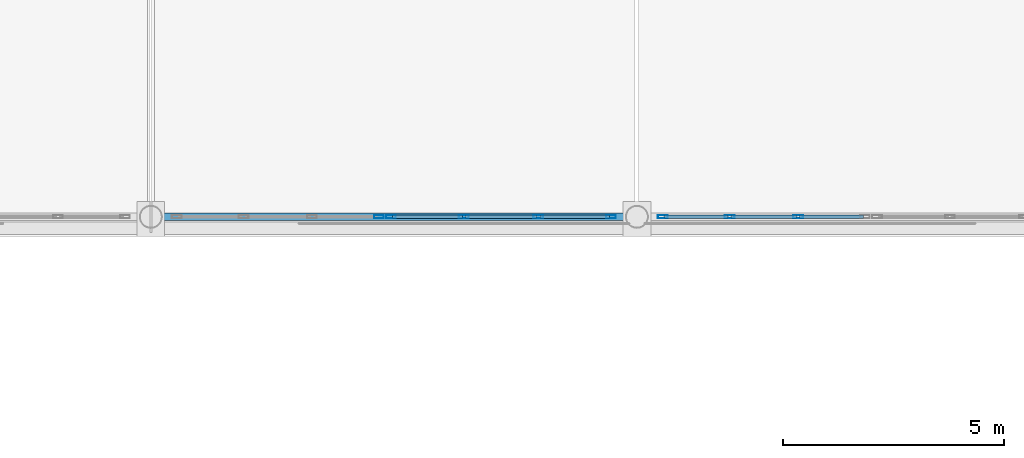
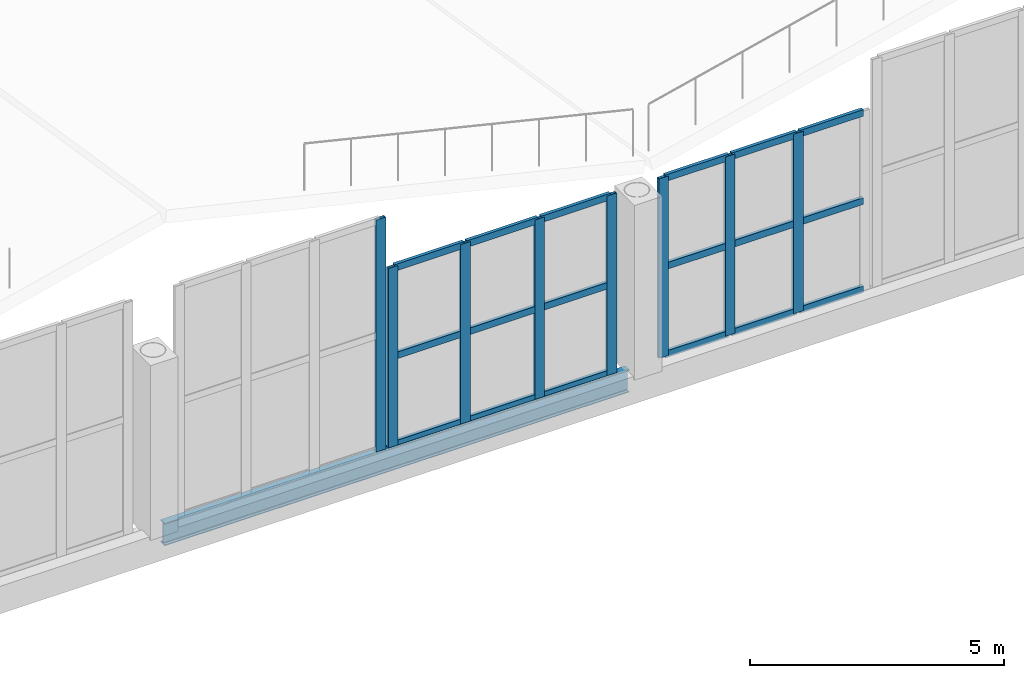
# One storey, part 36 of 120: 26 members, 1 beam, 3 elements without a shape of their own.
"""IFC4 building model written with IfcOpenShell, lengths in metres."""

from ifc_helpers import new_model, si_unit, direction, frame, origin, origin_2d, place, context, subcontext, project, spatial, hollow_rectangle, i_section, extrude, material, material_profile, profile_set, type_object, element, aggregate, save


model = new_model("IFC4")

# Units and contexts
model_context = context("Model", 3, precision=1e-05, world=origin(), true_north=direction((0.0, 1.0)))
body_context = subcontext(model_context, "Body", "Model", "MODEL_VIEW")
ifc_project = project(units=[si_unit("LENGTHUNIT", "METRE"), si_unit("AREAUNIT", "SQUARE_METRE"), si_unit("VOLUMEUNIT", "CUBIC_METRE"), si_unit("PLANEANGLEUNIT", "RADIAN"), si_unit("MASSUNIT", "GRAM", prefix="KILO")], contexts=[model_context])

# Site, building, storey
site_placement = place(None, origin())
site = spatial("IfcSite", under=ifc_project, at=site_placement, CompositionType="ELEMENT")
building_placement = place(site_placement, origin())
building = spatial("IfcBuilding", under=site, at=building_placement, Name="Caurita Quay Ferry Terminal", CompositionType="ELEMENT")
storey_placement = place(building_placement, frame((0.0, 0.0, 9.89990234375)))
storey = spatial("IfcBuildingStorey", under=building, at=storey_placement, Name="L02", CompositionType="ELEMENT", Elevation=9.89990234375)

# Beam
ifc_material_1 = material(Name="Structural steel ASTM A992 Gr. 50", Category="steel")
ifc_material_profile_1 = material_profile(ifc_material_1, i_section(OverallWidth=0.16650390625, OverallDepth=0.535888671875, WebThickness=0.01025390625, FlangeThickness=0.0166015625, FilletRadius=0.013916015625, at=origin_2d()), Name="W21X57")
ifc_profile_set_1 = profile_set([ifc_material_profile_1], Name="Structural steel ASTM A992 Gr. 50")
beam_type = type_object("IfcBeamType", Name="BM-SP-W21B", PredefinedType="SPANDREL", material=ifc_profile_set_1)
beam_placement = place(storey_placement, frame((99.419921875, 34.60009765625, -0.267822265625), z_axis=(1.0, 0.0, 0.0), x_axis=(0.0, 1.0, 0.0)))
element("IfcBeam", 1, at=beam_placement, inside=storey, type_object=beam_type, Name="V2 Waterside Clerestory Sill Spandrel 99", PredefinedType="SPANDREL", context=body_context, shape_type="SweptSolid", body=[
    extrude(i_section(OverallWidth=0.16650390625, OverallDepth=0.535888671875, WebThickness=0.01025390625, FlangeThickness=0.0166015625, FilletRadius=0.013916015625, at=origin_2d()), origin(), (0.0, 0.0, 1.0), 10.56005859375),
])

# Curtain wall, member
ifc_material_2 = material(Name="Laminated solar-control insulated glass", Category="glass")
curtain_wall_type_1 = type_object("IfcCurtainWallType", Name="CW-SYS-03", PredefinedType="NOTDEFINED", material=ifc_material_2)
curtain_wall_1_placement = place(storey_placement, origin())
curtain_wall_1 = element("IfcCurtainWall", 2, at=curtain_wall_1_placement, inside=storey, type_object=curtain_wall_type_1, Name="Folded Roof Clerestory FB-05-S3", PredefinedType="NOTDEFINED")
ifc_material_3 = material(Name="Anodized aluminium 6063-T6", Category="aluminium")
ifc_material_profile_2 = material_profile(ifc_material_3, hollow_rectangle(XDim=0.074951171875, YDim=0.219970703125, WallThickness=0.00390625, at=origin_2d()), Name="ALU-MUL-75X220")
ifc_profile_set_2 = profile_set([ifc_material_profile_2], Name="Anodized aluminium 6063-T6")
member_type_1 = type_object("IfcMemberType", Name="CW-MUL-220", PredefinedType="MULLION", material=ifc_profile_set_2)
member_1_placement = place(storey_placement, frame((104.362548828125, 34.60009765625, 0.0), z_axis=(0.0, 0.0, 1.0), x_axis=(0.0, 1.0, 0.0)))
member_1 = element("IfcMember", 3, at=member_1_placement, type_object=member_type_1, Name="CW-CLR-035 Mullion 4", PredefinedType="MULLION", context=body_context, shape_type="SweptSolid", body=[
    extrude(hollow_rectangle(XDim=0.074951171875, YDim=0.219970703125, WallThickness=0.00390625, at=origin_2d()), origin(), (0.0, 0.0, 1.0), 5.572998046875),
])
aggregate(curtain_wall_1, [member_1])

# Curtain wall, members
curtain_wall_type_2 = type_object("IfcCurtainWallType", Name="CW-SYS-04", PredefinedType="NOTDEFINED", material=ifc_material_2)
curtain_wall_2_placement = place(storey_placement, origin())
curtain_wall_2 = element("IfcCurtainWall", 4, at=curtain_wall_2_placement, inside=storey, type_object=curtain_wall_type_2, Name="Folded Roof Clerestory FB-05-S4", PredefinedType="NOTDEFINED")
member_2_placement = place(storey_placement, frame((104.637451171875, 34.60009765625, 0.0), z_axis=(0.0, 0.0, 1.0), x_axis=(0.0, 1.0, 0.0)))
member_2 = element("IfcMember", 5, at=member_2_placement, type_object=member_type_1, Name="CW-CLR-036 Mullion 1", PredefinedType="MULLION", context=body_context, shape_type="SweptSolid", body=[
    extrude(hollow_rectangle(XDim=0.074951171875, YDim=0.219970703125, WallThickness=0.00390625, at=origin_2d()), origin(), (0.0, 0.0, 1.0), 4.31298828125),
])
member_3_placement = place(storey_placement, frame((106.283203125, 34.60009765625, 0.0), z_axis=(0.0, 0.0, 1.0), x_axis=(0.0, 1.0, 0.0)))
member_3 = element("IfcMember", 6, at=member_3_placement, type_object=member_type_1, Name="CW-CLR-036 Mullion 2", PredefinedType="MULLION", context=body_context, shape_type="SweptSolid", body=[
    extrude(hollow_rectangle(XDim=0.074951171875, YDim=0.219970703125, WallThickness=0.00390625, at=origin_2d()), origin(), (0.0, 0.0, 1.0), 4.31298828125),
])
member_4_placement = place(storey_placement, frame((107.966796875, 34.60009765625, 0.0), z_axis=(0.0, 0.0, 1.0), x_axis=(0.0, 1.0, 0.0)))
member_4 = element("IfcMember", 7, at=member_4_placement, type_object=member_type_1, Name="CW-CLR-036 Mullion 3", PredefinedType="MULLION", context=body_context, shape_type="SweptSolid", body=[
    extrude(hollow_rectangle(XDim=0.074951171875, YDim=0.219970703125, WallThickness=0.00390625, at=origin_2d()), origin(), (0.0, 0.0, 1.0), 4.31298828125),
])
member_5_placement = place(storey_placement, frame((109.612548828125, 34.60009765625, 0.0), z_axis=(0.0, 0.0, 1.0), x_axis=(0.0, 1.0, 0.0)))
member_5 = element("IfcMember", 8, at=member_5_placement, type_object=member_type_1, Name="CW-CLR-036 Mullion 4", PredefinedType="MULLION", context=body_context, shape_type="SweptSolid", body=[
    extrude(hollow_rectangle(XDim=0.074951171875, YDim=0.219970703125, WallThickness=0.00390625, at=origin_2d()), origin(), (0.0, 0.0, 1.0), 4.31298828125),
])

curtain_wall_type_3 = type_object("IfcCurtainWallType", Name="CW-SYS-01", PredefinedType="NOTDEFINED", material=ifc_material_2)
curtain_wall_3_placement = place(storey_placement, origin())
curtain_wall_3 = element("IfcCurtainWall", 9, at=curtain_wall_3_placement, inside=storey, type_object=curtain_wall_type_3, Name="Folded Roof Clerestory FB-06-S1", PredefinedType="NOTDEFINED")
member_6_placement = place(storey_placement, frame((110.78759765625, 34.60009765625, 0.0), z_axis=(0.0, 0.0, 1.0), x_axis=(0.0, 1.0, 0.0)))
member_6 = element("IfcMember", 10, at=member_6_placement, type_object=member_type_1, Name="CW-CLR-041 Mullion 1", PredefinedType="MULLION", context=body_context, shape_type="SweptSolid", body=[
    extrude(hollow_rectangle(XDim=0.074951171875, YDim=0.219970703125, WallThickness=0.00390625, at=origin_2d()), origin(), (0.0, 0.0, 1.0), 4.31298828125),
])
member_7_placement = place(storey_placement, frame((112.300048828125, 34.60009765625, 0.0), z_axis=(0.0, 0.0, 1.0), x_axis=(0.0, 1.0, 0.0)))
member_7 = element("IfcMember", 11, at=member_7_placement, type_object=member_type_1, Name="CW-CLR-041 Mullion 2", PredefinedType="MULLION", context=body_context, shape_type="SweptSolid", body=[
    extrude(hollow_rectangle(XDim=0.074951171875, YDim=0.219970703125, WallThickness=0.00390625, at=origin_2d()), origin(), (0.0, 0.0, 1.0), 4.31298828125),
])
member_8_placement = place(storey_placement, frame((113.85009765625, 34.60009765625, 0.0), z_axis=(0.0, 0.0, 1.0), x_axis=(0.0, 1.0, 0.0)))
member_8 = element("IfcMember", 12, at=member_8_placement, type_object=member_type_1, Name="CW-CLR-041 Mullion 3", PredefinedType="MULLION", context=body_context, shape_type="SweptSolid", body=[
    extrude(hollow_rectangle(XDim=0.074951171875, YDim=0.219970703125, WallThickness=0.00390625, at=origin_2d()), origin(), (0.0, 0.0, 1.0), 4.31298828125),
])

# Member
ifc_material_profile_3 = material_profile(ifc_material_3, hollow_rectangle(XDim=0.074951171875, YDim=0.159912109375, WallThickness=0.00390625, at=origin_2d()), Name="ALU-TRN-75X160")
ifc_profile_set_3 = profile_set([ifc_material_profile_3], Name="Anodized aluminium 6063-T6")
member_type_2 = type_object("IfcMemberType", Name="CW-TRN-160", PredefinedType="USERDEFINED", material=ifc_profile_set_3)
member_9_placement = place(storey_placement, frame((104.673095703125, 34.60009765625, 0.03759765625), z_axis=(1.0, 0.0, 0.0), x_axis=(0.0, 1.0, 0.0)))
member_9 = element("IfcMember", 13, at=member_9_placement, type_object=member_type_2, Name="CW-CLR-036 Transom 1", ObjectType="TRANSOM", PredefinedType="USERDEFINED", context=body_context, shape_type="SweptSolid", body=[
    extrude(hollow_rectangle(XDim=0.074951171875, YDim=0.159912109375, WallThickness=0.00390625, at=origin_2d()), origin(), (0.0, 0.0, 1.0), 1.57470703125),
])

member_10_placement = place(storey_placement, frame((104.673095703125, 34.60009765625, 2.156494140625), z_axis=(1.0, 0.0, 0.0), x_axis=(0.0, 1.0, 0.0)))
member_10 = element("IfcMember", 14, at=member_10_placement, type_object=member_type_2, Name="CW-CLR-036 Transom 2", ObjectType="TRANSOM", PredefinedType="USERDEFINED", context=body_context, shape_type="SweptSolid", body=[
    extrude(hollow_rectangle(XDim=0.074951171875, YDim=0.159912109375, WallThickness=0.00390625, at=origin_2d()), origin(), (0.0, 0.0, 1.0), 1.57470703125),
])

member_11_placement = place(storey_placement, frame((104.673095703125, 34.60009765625, 4.275634765625), z_axis=(1.0, 0.0, 0.0), x_axis=(0.0, 1.0, 0.0)))
member_11 = element("IfcMember", 15, at=member_11_placement, type_object=member_type_2, Name="CW-CLR-036 Transom 3", ObjectType="TRANSOM", PredefinedType="USERDEFINED", context=body_context, shape_type="SweptSolid", body=[
    extrude(hollow_rectangle(XDim=0.074951171875, YDim=0.159912109375, WallThickness=0.00390625, at=origin_2d()), origin(), (0.0, 0.0, 1.0), 1.57470703125),
])

member_12_placement = place(storey_placement, frame((106.31884765625, 34.60009765625, 0.03759765625), z_axis=(1.0, 0.0, 0.0), x_axis=(0.0, 1.0, 0.0)))
member_12 = element("IfcMember", 16, at=member_12_placement, type_object=member_type_2, Name="CW-CLR-036 Transom 4", ObjectType="TRANSOM", PredefinedType="USERDEFINED", context=body_context, shape_type="SweptSolid", body=[
    extrude(hollow_rectangle(XDim=0.074951171875, YDim=0.159912109375, WallThickness=0.00390625, at=origin_2d()), origin(), (0.0, 0.0, 1.0), 1.6123046875),
])

member_13_placement = place(storey_placement, frame((106.31884765625, 34.60009765625, 2.156494140625), z_axis=(1.0, 0.0, 0.0), x_axis=(0.0, 1.0, 0.0)))
member_13 = element("IfcMember", 17, at=member_13_placement, type_object=member_type_2, Name="CW-CLR-036 Transom 5", ObjectType="TRANSOM", PredefinedType="USERDEFINED", context=body_context, shape_type="SweptSolid", body=[
    extrude(hollow_rectangle(XDim=0.074951171875, YDim=0.159912109375, WallThickness=0.00390625, at=origin_2d()), origin(), (0.0, 0.0, 1.0), 1.6123046875),
])

member_14_placement = place(storey_placement, frame((106.31884765625, 34.60009765625, 4.275634765625), z_axis=(1.0, 0.0, 0.0), x_axis=(0.0, 1.0, 0.0)))
member_14 = element("IfcMember", 18, at=member_14_placement, type_object=member_type_2, Name="CW-CLR-036 Transom 6", ObjectType="TRANSOM", PredefinedType="USERDEFINED", context=body_context, shape_type="SweptSolid", body=[
    extrude(hollow_rectangle(XDim=0.074951171875, YDim=0.159912109375, WallThickness=0.00390625, at=origin_2d()), origin(), (0.0, 0.0, 1.0), 1.6123046875),
])

member_15_placement = place(storey_placement, frame((108.002197265625, 34.60009765625, 0.03759765625), z_axis=(1.0, 0.0, 0.0), x_axis=(0.0, 1.0, 0.0)))
member_15 = element("IfcMember", 19, at=member_15_placement, type_object=member_type_2, Name="CW-CLR-036 Transom 7", ObjectType="TRANSOM", PredefinedType="USERDEFINED", context=body_context, shape_type="SweptSolid", body=[
    extrude(hollow_rectangle(XDim=0.074951171875, YDim=0.159912109375, WallThickness=0.00390625, at=origin_2d()), origin(), (0.0, 0.0, 1.0), 1.57470703125),
])

member_16_placement = place(storey_placement, frame((108.002197265625, 34.60009765625, 2.156494140625), z_axis=(1.0, 0.0, 0.0), x_axis=(0.0, 1.0, 0.0)))
member_16 = element("IfcMember", 20, at=member_16_placement, type_object=member_type_2, Name="CW-CLR-036 Transom 8", ObjectType="TRANSOM", PredefinedType="USERDEFINED", context=body_context, shape_type="SweptSolid", body=[
    extrude(hollow_rectangle(XDim=0.074951171875, YDim=0.159912109375, WallThickness=0.00390625, at=origin_2d()), origin(), (0.0, 0.0, 1.0), 1.57470703125),
])

member_17_placement = place(storey_placement, frame((108.002197265625, 34.60009765625, 4.275634765625), z_axis=(1.0, 0.0, 0.0), x_axis=(0.0, 1.0, 0.0)))
member_17 = element("IfcMember", 21, at=member_17_placement, type_object=member_type_2, Name="CW-CLR-036 Transom 9", ObjectType="TRANSOM", PredefinedType="USERDEFINED", context=body_context, shape_type="SweptSolid", body=[
    extrude(hollow_rectangle(XDim=0.074951171875, YDim=0.159912109375, WallThickness=0.00390625, at=origin_2d()), origin(), (0.0, 0.0, 1.0), 1.57470703125),
])

aggregate(curtain_wall_2, [member_2, member_3, member_4, member_5, member_9, member_10, member_11, member_12, member_13, member_14, member_15, member_16, member_17])

member_18_placement = place(storey_placement, frame((110.822998046875, 34.60009765625, 0.03759765625), z_axis=(1.0, 0.0, 0.0), x_axis=(0.0, 1.0, 0.0)))
member_18 = element("IfcMember", 22, at=member_18_placement, type_object=member_type_2, Name="CW-CLR-041 Transom 1", ObjectType="TRANSOM", PredefinedType="USERDEFINED", context=body_context, shape_type="SweptSolid", body=[
    extrude(hollow_rectangle(XDim=0.074951171875, YDim=0.159912109375, WallThickness=0.00390625, at=origin_2d()), origin(), (0.0, 0.0, 1.0), 1.44140625),
])

member_19_placement = place(storey_placement, frame((110.822998046875, 34.60009765625, 2.156494140625), z_axis=(1.0, 0.0, 0.0), x_axis=(0.0, 1.0, 0.0)))
member_19 = element("IfcMember", 23, at=member_19_placement, type_object=member_type_2, Name="CW-CLR-041 Transom 2", ObjectType="TRANSOM", PredefinedType="USERDEFINED", context=body_context, shape_type="SweptSolid", body=[
    extrude(hollow_rectangle(XDim=0.074951171875, YDim=0.159912109375, WallThickness=0.00390625, at=origin_2d()), origin(), (0.0, 0.0, 1.0), 1.44140625),
])

member_20_placement = place(storey_placement, frame((110.822998046875, 34.60009765625, 4.275634765625), z_axis=(1.0, 0.0, 0.0), x_axis=(0.0, 1.0, 0.0)))
member_20 = element("IfcMember", 24, at=member_20_placement, type_object=member_type_2, Name="CW-CLR-041 Transom 3", ObjectType="TRANSOM", PredefinedType="USERDEFINED", context=body_context, shape_type="SweptSolid", body=[
    extrude(hollow_rectangle(XDim=0.074951171875, YDim=0.159912109375, WallThickness=0.00390625, at=origin_2d()), origin(), (0.0, 0.0, 1.0), 1.44140625),
])

member_21_placement = place(storey_placement, frame((112.33544921875, 34.60009765625, 0.03759765625), z_axis=(1.0, 0.0, 0.0), x_axis=(0.0, 1.0, 0.0)))
member_21 = element("IfcMember", 25, at=member_21_placement, type_object=member_type_2, Name="CW-CLR-041 Transom 4", ObjectType="TRANSOM", PredefinedType="USERDEFINED", context=body_context, shape_type="SweptSolid", body=[
    extrude(hollow_rectangle(XDim=0.074951171875, YDim=0.159912109375, WallThickness=0.00390625, at=origin_2d()), origin(), (0.0, 0.0, 1.0), 1.47900390625),
])

member_22_placement = place(storey_placement, frame((112.33544921875, 34.60009765625, 2.156494140625), z_axis=(1.0, 0.0, 0.0), x_axis=(0.0, 1.0, 0.0)))
member_22 = element("IfcMember", 26, at=member_22_placement, type_object=member_type_2, Name="CW-CLR-041 Transom 5", ObjectType="TRANSOM", PredefinedType="USERDEFINED", context=body_context, shape_type="SweptSolid", body=[
    extrude(hollow_rectangle(XDim=0.074951171875, YDim=0.159912109375, WallThickness=0.00390625, at=origin_2d()), origin(), (0.0, 0.0, 1.0), 1.47900390625),
])

member_23_placement = place(storey_placement, frame((112.33544921875, 34.60009765625, 4.275634765625), z_axis=(1.0, 0.0, 0.0), x_axis=(0.0, 1.0, 0.0)))
member_23 = element("IfcMember", 27, at=member_23_placement, type_object=member_type_2, Name="CW-CLR-041 Transom 6", ObjectType="TRANSOM", PredefinedType="USERDEFINED", context=body_context, shape_type="SweptSolid", body=[
    extrude(hollow_rectangle(XDim=0.074951171875, YDim=0.159912109375, WallThickness=0.00390625, at=origin_2d()), origin(), (0.0, 0.0, 1.0), 1.47900390625),
])

member_24_placement = place(storey_placement, frame((113.885498046875, 34.60009765625, 0.03759765625), z_axis=(1.0, 0.0, 0.0), x_axis=(0.0, 1.0, 0.0)))
member_24 = element("IfcMember", 28, at=member_24_placement, type_object=member_type_2, Name="CW-CLR-041 Transom 7", ObjectType="TRANSOM", PredefinedType="USERDEFINED", context=body_context, shape_type="SweptSolid", body=[
    extrude(hollow_rectangle(XDim=0.074951171875, YDim=0.159912109375, WallThickness=0.00390625, at=origin_2d()), origin(), (0.0, 0.0, 1.0), 1.44140625),
])

member_25_placement = place(storey_placement, frame((113.885498046875, 34.60009765625, 2.156494140625), z_axis=(1.0, 0.0, 0.0), x_axis=(0.0, 1.0, 0.0)))
member_25 = element("IfcMember", 29, at=member_25_placement, type_object=member_type_2, Name="CW-CLR-041 Transom 8", ObjectType="TRANSOM", PredefinedType="USERDEFINED", context=body_context, shape_type="SweptSolid", body=[
    extrude(hollow_rectangle(XDim=0.074951171875, YDim=0.159912109375, WallThickness=0.00390625, at=origin_2d()), origin(), (0.0, 0.0, 1.0), 1.44140625),
])

member_26_placement = place(storey_placement, frame((113.885498046875, 34.60009765625, 4.275634765625), z_axis=(1.0, 0.0, 0.0), x_axis=(0.0, 1.0, 0.0)))
member_26 = element("IfcMember", 30, at=member_26_placement, type_object=member_type_2, Name="CW-CLR-041 Transom 9", ObjectType="TRANSOM", PredefinedType="USERDEFINED", context=body_context, shape_type="SweptSolid", body=[
    extrude(hollow_rectangle(XDim=0.074951171875, YDim=0.159912109375, WallThickness=0.00390625, at=origin_2d()), origin(), (0.0, 0.0, 1.0), 1.44140625),
])

aggregate(curtain_wall_3, [member_6, member_7, member_8, member_18, member_19, member_20, member_21, member_22, member_23, member_24, member_25, member_26])

save(model, "model.ifc")
